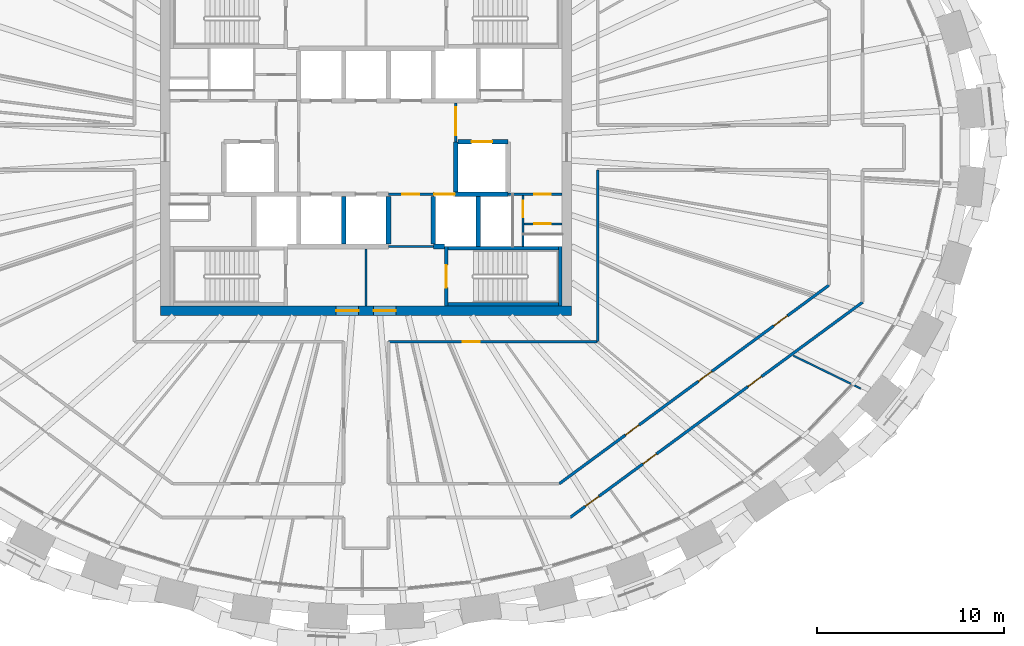
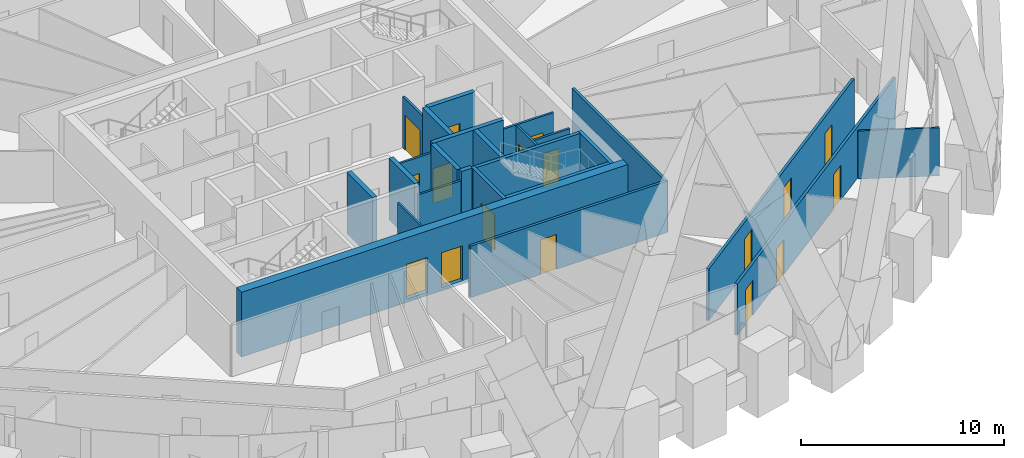
# One storey, part 10 of 15: 25 walls, 17 doors, 17 openings.
"""IFC4 building model written with IfcOpenShell, lengths in metres."""

from ifc_helpers import new_model, si_unit, direction, frame, frame_2d, origin, place, context, subcontext, project, spatial, rectangle, extrude, source, transform, mapped, material, layer, layer_set, type_object, element, fill, save


model = new_model("IFC4")

# Units and contexts
model_context = context("Model", 3, precision=1e-05, world=origin(), true_north=direction((0.0, 1.0)))
body_context = subcontext(model_context, "Body", "Model", "MODEL_VIEW")
ifc_project = project(units=[si_unit("LENGTHUNIT", "METRE"), si_unit("AREAUNIT", "SQUARE_METRE"), si_unit("VOLUMEUNIT", "CUBIC_METRE"), si_unit("PLANEANGLEUNIT", "RADIAN"), si_unit("MASSUNIT", "GRAM", prefix="KILO")], contexts=[model_context])

# Site, building, storey
site_placement = place(None, origin())
site = spatial("IfcSite", under=ifc_project, at=site_placement, CompositionType="ELEMENT")
building_placement = place(site_placement, origin())
building = spatial("IfcBuilding", under=site, at=building_placement, Name="Embergate Tower", CompositionType="ELEMENT")
storey_placement = place(building_placement, frame((0.0, 0.0, 277.300048828125)))
storey = spatial("IfcBuildingStorey", under=building, at=storey_placement, Name="L64", CompositionType="ELEMENT", Elevation=277.300048828125)

# Wall, openings, doors
ifc_material_1 = material(Name="Concrete C50", Category="concrete")
ifc_layer_1 = layer(ifc_material_1, 0.5)
ifc_layer_set_1 = layer_set([ifc_layer_1], Name="Concrete C50")
wall_type_1 = type_object("IfcWallType", Name="Core outer wall C50 500", PredefinedType="SHEAR", material=ifc_layer_set_1)
shared_shape_1 = source(origin(), body_context, "Body", "SweptSolid", [
    extrude(rectangle(XDim=22.0, YDim=0.5, at=frame_2d((11.0, 0.0))), origin(), (0.0, 0.0, 1.0), 3.89990234375),
])
wall_1_placement = place(storey_placement, frame((-11.0, -8.75, -0.199951171875), z_axis=(0.0, 0.0, 1.0), x_axis=(1.0, 0.0, 0.0)))
wall_1 = element("IfcWall", 1, at=wall_1_placement, inside=storey, type_object=wall_type_1, Name="CW-L64-S", PredefinedType="SHEAR", context=body_context, shape_type="MappedRepresentation", body=[
    mapped(shared_shape_1, transform((0.0, 0.0, 0.0))),
])
shared_shape_2 = source(origin(), body_context, "Body", "SweptSolid", [
    extrude(rectangle(XDim=1.199951171875, YDim=2.10009765625, at=frame_2d((0.60009765625, 1.050048828125))), frame((0.0, 0.260009765625, 0.0), z_axis=(0.0, -1.0, 0.0), x_axis=(1.0, 0.0, 0.0)), (0.0, 0.0, 1.0), 0.52001953125),
])
opening_1_placement = place(wall_1_placement, frame((9.39990234375, 0.0, 0.199951171875)))
opening_1 = element("IfcOpeningElement", 2, at=opening_1_placement, cuts=wall_1, Name="Opening IF-1", PredefinedType="OPENING", context=body_context, shape_type="MappedRepresentation", body=[
    mapped(shared_shape_2, transform((0.0, 0.0, 0.0))),
])
opening_2_placement = place(wall_1_placement, frame((11.39990234375, 0.0, 0.199951171875)))
opening_2 = element("IfcOpeningElement", 3, at=opening_2_placement, cuts=wall_1, Name="Opening IF-1", PredefinedType="OPENING", context=body_context, shape_type="MappedRepresentation", body=[
    mapped(shared_shape_2, transform((0.0, 0.0, 0.0))),
])
ifc_material_2 = material(Name="Escape fire door 1200")
door_type_1 = type_object("IfcDoorType", Name="Escape fire door 1200", OperationType="SINGLE_SWING_LEFT", PredefinedType="DOOR", material=ifc_material_2)
shared_shape_3 = source(origin(), body_context, "Body", "SweptSolid", [
    extrude(rectangle(XDim=1.199951171875, YDim=2.10009765625, at=frame_2d((0.60009765625, 1.050048828125))), frame((0.0, 0.02490234375, 0.0), z_axis=(0.0, -1.0, 0.0), x_axis=(1.0, 0.0, 0.0)), (0.0, 0.0, 1.0), 0.050048828125),
])
door_1_placement = place(opening_1_placement, origin())
door_1 = element("IfcDoor", 4, at=door_1_placement, inside=storey, type_object=door_type_1, Name="IF-1 door", OperationType="SINGLE_SWING_LEFT", OverallHeight=2.10009765625, OverallWidth=1.199951171875, PredefinedType="DOOR", context=body_context, shape_type="MappedRepresentation", body=[
    mapped(shared_shape_3, transform((0.0, 0.0, 0.0))),
])
fill(opening_1, door_1)
door_2_placement = place(opening_2_placement, origin())
door_2 = element("IfcDoor", 5, at=door_2_placement, inside=storey, type_object=door_type_1, Name="IF-1 door", OperationType="SINGLE_SWING_RIGHT", OverallHeight=2.10009765625, OverallWidth=1.199951171875, PredefinedType="DOOR", context=body_context, shape_type="MappedRepresentation", body=[
    mapped(shared_shape_3, transform((0.0, 0.0, 0.0))),
])
fill(opening_2, door_2)

# Walls
ifc_layer_2 = layer(ifc_material_1, 0.25)
ifc_layer_set_2 = layer_set([ifc_layer_2], Name="Concrete C50")
wall_type_2 = type_object("IfcWallType", Name="Hoistway wall reinforced concrete 250", PredefinedType="SHEAR", material=ifc_layer_set_2)
shared_shape_4 = source(origin(), body_context, "Body", "SweptSolid", [
    extrude(rectangle(XDim=2.675048828125, YDim=0.25, at=frame_2d((1.33740234375, 0.0))), origin(), (0.0, 0.0, 1.0), 3.699951171875),
])
for number, where, z_axis, x_axis, name in (
    (6, (6.0, -5.300048828125, 0.0), (0.0, 0.0, 1.0), (0.0, 1.0, 0.0), "HW-1 wall"),
    (7, (4.800048828125, -2.375, 0.0), (0.0, 0.0, 1.0), (0.0, 1.0, 0.0), "HW-1 wall"),
):
    element("IfcWall", number, at=place(storey_placement, frame(where, z_axis=z_axis, x_axis=x_axis)), inside=storey, type_object=wall_type_2, Name=name, PredefinedType="SHEAR", context=body_context, shape_type="MappedRepresentation", body=[
        mapped(shared_shape_4, transform((0.0, 0.0, 0.0))),
    ])

# Wall, opening, door
wall_2_placement = place(storey_placement, frame((7.60009765625, 0.300048828125, 0.0), z_axis=(0.0, 0.0, 1.0), x_axis=(-1.0, 0.0, 0.0)))
wall_2 = element("IfcWall", 8, at=wall_2_placement, inside=storey, type_object=wall_type_2, Name="HW-1 wall", PredefinedType="SHEAR", context=body_context, shape_type="MappedRepresentation", body=[
    mapped(shared_shape_4, transform((0.0, 0.0, 0.0))),
])
shared_shape_5 = source(origin(), body_context, "Body", "SweptSolid", [
    extrude(rectangle(XDim=1.10009765625, YDim=2.10009765625, at=frame_2d((0.550048828125, 1.050048828125))), frame((0.0, 0.135009765625, 0.0), z_axis=(0.0, -1.0, 0.0), x_axis=(1.0, 0.0, 0.0)), (0.0, 0.0, 1.0), 0.27001953125),
])
opening_3_placement = place(wall_2_placement, frame((0.85009765625, 0.0, 0.0)))
opening_3 = element("IfcOpeningElement", 9, at=opening_3_placement, cuts=wall_2, Name="Opening LD", PredefinedType="OPENING", context=body_context, shape_type="MappedRepresentation", body=[
    mapped(shared_shape_5, transform((0.0, 0.0, 0.0))),
])
ifc_material_3 = material(Name="Landing door sliding 1100")
door_type_2 = type_object("IfcDoorType", Name="Landing door sliding 1100", OperationType="SLIDING_TO_LEFT", PredefinedType="DOOR", material=ifc_material_3)
shared_shape_6 = source(origin(), body_context, "Body", "SweptSolid", [
    extrude(rectangle(XDim=1.10009765625, YDim=2.10009765625, at=frame_2d((0.550048828125, 1.050048828125))), frame((0.0, 0.02490234375, 0.0), z_axis=(0.0, -1.0, 0.0), x_axis=(1.0, 0.0, 0.0)), (0.0, 0.0, 1.0), 0.050048828125),
])
door_3_placement = place(opening_3_placement, origin())
door_3 = element("IfcDoor", 10, at=door_3_placement, inside=storey, type_object=door_type_2, Name="LD door", OperationType="SLIDING_TO_RIGHT", OverallHeight=2.10009765625, OverallWidth=1.10009765625, PredefinedType="DOOR", context=body_context, shape_type="MappedRepresentation", body=[
    mapped(shared_shape_6, transform((0.0, 0.0, 0.0))),
])
fill(opening_3, door_3)

# Walls
ifc_layer_3 = layer(ifc_material_1, 0.199951171875)
ifc_layer_set_3 = layer_set([ifc_layer_3], Name="Concrete C50")
wall_type_3 = type_object("IfcWallType", Name="Stair enclosure wall reinforced concrete 250", PredefinedType="SHEAR", material=ifc_layer_set_3)
shared_shape_7 = source(origin(), body_context, "Body", "SweptSolid", [
    extrude(rectangle(XDim=6.300048828125, YDim=0.199951171875, at=frame_2d((3.14990234375, 0.0))), origin(), (0.0, 0.0, 1.0), 3.699951171875),
])
wall_3_placement = place(storey_placement, frame((4.199951171875, -5.39990234375, 0.0), z_axis=(0.0, 0.0, 1.0), x_axis=(1.0, 0.0, 0.0)))
element("IfcWall", 11, at=wall_3_placement, inside=storey, type_object=wall_type_3, Name="SE-1 wall", PredefinedType="SHEAR", context=body_context, shape_type="MappedRepresentation", body=[
    mapped(shared_shape_7, transform((0.0, 0.0, 0.0))),
])
shared_shape_8 = source(origin(), body_context, "Body", "SweptSolid", [
    extrude(rectangle(XDim=2.550048828125, YDim=0.25, at=frame_2d((1.27490234375, 0.0))), origin(), (0.0, 0.0, 1.0), 3.699951171875),
])
for number, where, z_axis, x_axis, name in (
    (12, (-1.199951171875, -5.175048828125, 0.0), (0.0, 0.0, 1.0), (0.0, 1.0, 0.0), "HW-1 wall"),
    (13, (1.199951171875, -5.175048828125, 0.0), (0.0, 0.0, 1.0), (0.0, 1.0, 0.0), "HW-1 wall"),
    (14, (3.60009765625, -2.625, 0.0), (0.0, 0.0, 1.0), (0.0, -1.0, 0.0), "HW-1 wall"),
):
    element("IfcWall", number, at=place(storey_placement, frame(where, z_axis=z_axis, x_axis=x_axis)), inside=storey, type_object=wall_type_2, Name=name, PredefinedType="SHEAR", context=body_context, shape_type="MappedRepresentation", body=[
        mapped(shared_shape_8, transform((0.0, 0.0, 0.0))),
    ])

# Wall, opening, door
shared_shape_9 = source(origin(), body_context, "Body", "SweptSolid", [
    extrude(rectangle(XDim=3.199951171875, YDim=0.199951171875, at=frame_2d((1.60009765625, 0.0))), origin(), (0.0, 0.0, 1.0), 3.699951171875),
])
wall_4_placement = place(storey_placement, frame((4.300048828125, -5.300048828125, 0.0), z_axis=(0.0, 0.0, 1.0), x_axis=(0.0, -1.0, 0.0)))
wall_4 = element("IfcWall", 15, at=wall_4_placement, inside=storey, type_object=wall_type_3, Name="SE-1 wall", PredefinedType="SHEAR", context=body_context, shape_type="MappedRepresentation", body=[
    mapped(shared_shape_9, transform((0.0, 0.0, 0.0))),
])
shared_shape_10 = source(origin(), body_context, "Body", "SweptSolid", [
    extrude(rectangle(XDim=1.199951171875, YDim=2.10009765625, at=frame_2d((0.60009765625, 1.050048828125))), frame((0.0, 0.10986328125, 0.0), z_axis=(0.0, -1.0, 0.0), x_axis=(1.0, 0.0, 0.0)), (0.0, 0.0, 1.0), 0.219970703125),
])
opening_4_placement = place(wall_4_placement, frame((1.0, 0.0, 0.0)))
opening_4 = element("IfcOpeningElement", 16, at=opening_4_placement, cuts=wall_4, Name="Opening IF-2", PredefinedType="OPENING", context=body_context, shape_type="MappedRepresentation", body=[
    mapped(shared_shape_10, transform((0.0, 0.0, 0.0))),
])
ifc_material_4 = material(Name="Stair enclosure door 1200")
door_type_3 = type_object("IfcDoorType", Name="Stair enclosure door 1200", OperationType="SINGLE_SWING_LEFT", PredefinedType="DOOR", material=ifc_material_4)
door_4_placement = place(opening_4_placement, origin())
door_4 = element("IfcDoor", 17, at=door_4_placement, inside=storey, type_object=door_type_3, Name="IF-2 door", OperationType="SINGLE_SWING_RIGHT", OverallHeight=2.10009765625, OverallWidth=1.199951171875, PredefinedType="DOOR", context=body_context, shape_type="MappedRepresentation", body=[
    mapped(shared_shape_3, transform((0.0, 0.0, 0.0))),
])
fill(opening_4, door_4)

ifc_material_5 = material(Name="Core partition blockwork 120")
ifc_layer_4 = layer(ifc_material_5, 0.1201171875)
ifc_layer_set_4 = layer_set([ifc_layer_4], Name="Core partition blockwork 120")
wall_type_4 = type_object("IfcWallType", Name="Core partition blockwork 120", PredefinedType="PARTITIONING", material=ifc_layer_set_4)
shared_shape_11 = source(origin(), body_context, "Body", "SweptSolid", [
    extrude(rectangle(XDim=2.739990234375, YDim=0.1201171875, at=frame_2d((1.3701171875, 0.0))), origin(), (0.0, 0.0, 1.0), 3.099853515625),
])
wall_5_placement = place(storey_placement, frame((8.39990234375, -5.300048828125, 0.0), z_axis=(0.0, 0.0, 1.0), x_axis=(0.0, 1.0, 0.0)))
wall_5 = element("IfcWall", 18, at=wall_5_placement, inside=storey, type_object=wall_type_4, Name="IP-3 wall", PredefinedType="PARTITIONING", context=body_context, shape_type="MappedRepresentation", body=[
    mapped(shared_shape_11, transform((0.0, 0.0, 0.0))),
])
shared_shape_12 = source(origin(), body_context, "Body", "SweptSolid", [
    extrude(rectangle(XDim=0.89990234375, YDim=2.10009765625, at=frame_2d((0.449951171875, 1.050048828125))), frame((0.0, 0.070068359375, 0.0), z_axis=(0.0, -1.0, 0.0), x_axis=(1.0, 0.0, 0.0)), (0.0, 0.0, 1.0), 0.14013671875),
])
opening_5_placement = place(wall_5_placement, frame((1.552001953125, 0.0, 0.0)))
opening_5 = element("IfcOpeningElement", 19, at=opening_5_placement, cuts=wall_5, Name="Opening ID-1", PredefinedType="OPENING", context=body_context, shape_type="MappedRepresentation", body=[
    mapped(shared_shape_12, transform((0.0, 0.0, 0.0))),
])
ifc_material_6 = material(Name="Interior door 900")
door_type_4 = type_object("IfcDoorType", Name="Interior door 900", OperationType="SINGLE_SWING_LEFT", PredefinedType="DOOR", material=ifc_material_6)
shared_shape_13 = source(origin(), body_context, "Body", "SweptSolid", [
    extrude(rectangle(XDim=0.89990234375, YDim=2.10009765625, at=frame_2d((0.449951171875, 1.050048828125))), frame((0.0, 0.02490234375, 0.0), z_axis=(0.0, -1.0, 0.0), x_axis=(1.0, 0.0, 0.0)), (0.0, 0.0, 1.0), 0.050048828125),
])
door_5_placement = place(opening_5_placement, origin())
door_5 = element("IfcDoor", 20, at=door_5_placement, inside=storey, type_object=door_type_4, Name="ID-1 door", OperationType="SINGLE_SWING_RIGHT", OverallHeight=2.10009765625, OverallWidth=0.89990234375, PredefinedType="DOOR", context=body_context, shape_type="MappedRepresentation", body=[
    mapped(shared_shape_13, transform((0.0, 0.0, 0.0))),
])
fill(opening_5, door_5)

shared_shape_14 = source(origin(), body_context, "Body", "SweptSolid", [
    extrude(rectangle(XDim=2.074951171875, YDim=0.1201171875, at=frame_2d((1.03759765625, 0.0))), origin(), (0.0, 0.0, 1.0), 3.099853515625),
])
wall_6_placement = place(storey_placement, frame((4.800048828125, 0.300048828125, 0.0), z_axis=(0.0, 0.0, 1.0), x_axis=(0.0, 1.0, 0.0)))
wall_6 = element("IfcWall", 21, at=wall_6_placement, inside=storey, type_object=wall_type_4, Name="IP-3 wall", PredefinedType="PARTITIONING", context=body_context, shape_type="MappedRepresentation", body=[
    mapped(shared_shape_14, transform((0.0, 0.0, 0.0))),
])
shared_shape_15 = source(origin(), body_context, "Body", "SweptSolid", [
    extrude(rectangle(XDim=1.5, YDim=2.10009765625, at=frame_2d((0.75, 1.050048828125))), frame((0.0, 0.070068359375, 0.0), z_axis=(0.0, -1.0, 0.0), x_axis=(1.0, 0.0, 0.0)), (0.0, 0.0, 1.0), 0.14013671875),
])
opening_6_placement = place(wall_6_placement, frame((0.35009765625, 0.0, 0.0)))
opening_6 = element("IfcOpeningElement", 22, at=opening_6_placement, cuts=wall_6, Name="Opening IF-3", PredefinedType="OPENING", context=body_context, shape_type="MappedRepresentation", body=[
    mapped(shared_shape_15, transform((0.0, 0.0, 0.0))),
])
ifc_material_7 = material(Name="Lobby fire door pair 1500")
door_type_5 = type_object("IfcDoorType", Name="Lobby fire door pair 1500", OperationType="DOUBLE_DOOR_SINGLE_SWING", PredefinedType="DOOR", material=ifc_material_7)
shared_shape_16 = source(origin(), body_context, "Body", "SweptSolid", [
    extrude(rectangle(XDim=1.5, YDim=2.10009765625, at=frame_2d((0.75, 1.050048828125))), frame((0.0, 0.02490234375, 0.0), z_axis=(0.0, -1.0, 0.0), x_axis=(1.0, 0.0, 0.0)), (0.0, 0.0, 1.0), 0.050048828125),
])
door_6_placement = place(opening_6_placement, origin())
door_6 = element("IfcDoor", 23, at=door_6_placement, inside=storey, type_object=door_type_5, Name="IF-3 door", OperationType="DOUBLE_DOOR_SINGLE_SWING", OverallHeight=2.10009765625, OverallWidth=1.5, PredefinedType="DOOR", context=body_context, shape_type="MappedRepresentation", body=[
    mapped(shared_shape_16, transform((0.0, 0.0, 0.0))),
])
fill(opening_6, door_6)

# Wall
shared_shape_17 = source(origin(), body_context, "Body", "SweptSolid", [
    extrude(rectangle(XDim=0.599853515625, YDim=0.25, at=frame_2d((0.2998046875, 0.0))), origin(), (0.0, 0.0, 1.0), 3.699951171875),
])
wall_7_placement = place(storey_placement, frame((3.60009765625, -5.300048828125, 0.0), z_axis=(0.0, 0.0, 1.0), x_axis=(1.0, 0.0, 0.0)))
element("IfcWall", 24, at=wall_7_placement, inside=storey, type_object=wall_type_2, Name="HW-1 wall", PredefinedType="SHEAR", context=body_context, shape_type="MappedRepresentation", body=[
    mapped(shared_shape_17, transform((0.0, 0.0, 0.0))),
])

# Wall, opening, door
ifc_material_8 = material(Name="Corridor wall dry-lined 150")
ifc_layer_5 = layer(ifc_material_8, 0.14990234375)
ifc_layer_set_5 = layer_set([ifc_layer_5], Name="Corridor wall dry-lined 150")
wall_type_5 = type_object("IfcWallType", Name="Corridor wall dry-lined 150", PredefinedType="PARTITIONING", material=ifc_layer_set_5)
shared_shape_18 = source(origin(), body_context, "Body", "SweptSolid", [
    extrude(rectangle(XDim=11.199951171875, YDim=0.14990234375, at=frame_2d((5.60009765625, 0.0))), origin(), (0.0, 0.0, 1.0), 3.099853515625),
])
wall_8_placement = place(storey_placement, frame((12.39990234375, -10.39990234375, 0.0), z_axis=(0.0, 0.0, 1.0), x_axis=(-1.0, 0.0, 0.0)))
wall_8 = element("IfcWall", 25, at=wall_8_placement, inside=storey, type_object=wall_type_5, Name="IP-2 wall", PredefinedType="PARTITIONING", context=body_context, shape_type="MappedRepresentation", body=[
    mapped(shared_shape_18, transform((0.0, 0.0, 0.0))),
])
shared_shape_19 = source(origin(), body_context, "Body", "SweptSolid", [
    extrude(rectangle(XDim=0.89990234375, YDim=2.10009765625, at=frame_2d((0.449951171875, 1.050048828125))), frame((0.0, 0.0849609375, 0.0), z_axis=(0.0, -1.0, 0.0), x_axis=(1.0, 0.0, 0.0)), (0.0, 0.0, 1.0), 0.169921875),
])
opening_7_placement = place(wall_8_placement, frame((6.31396484375, 0.0, 0.0)))
opening_7 = element("IfcOpeningElement", 26, at=opening_7_placement, cuts=wall_8, Name="Opening IF-1c", PredefinedType="OPENING", context=body_context, shape_type="MappedRepresentation", body=[
    mapped(shared_shape_19, transform((0.0, 0.0, 0.0))),
])
ifc_material_9 = material(Name="Escape fire door 900")
door_type_6 = type_object("IfcDoorType", Name="Escape fire door 900", OperationType="SINGLE_SWING_LEFT", PredefinedType="DOOR", material=ifc_material_9)
door_7_placement = place(opening_7_placement, origin())
door_7 = element("IfcDoor", 27, at=door_7_placement, inside=storey, type_object=door_type_6, Name="IF-1 door", OperationType="SINGLE_SWING_RIGHT", OverallHeight=2.10009765625, OverallWidth=0.89990234375, PredefinedType="DOOR", context=body_context, shape_type="MappedRepresentation", body=[
    mapped(shared_shape_13, transform((0.0, 0.0, 0.0))),
])
fill(opening_7, door_7)

shared_shape_20 = source(origin(), body_context, "Body", "SweptSolid", [
    extrude(rectangle(XDim=2.89990234375, YDim=0.1201171875, at=frame_2d((1.449951171875, 0.0))), origin(), (0.0, 0.0, 1.0), 3.099853515625),
])
wall_9_placement = place(storey_placement, frame((10.5, -2.5, 0.0), z_axis=(0.0, 0.0, 1.0), x_axis=(-1.0, 0.0, 0.0)))
wall_9 = element("IfcWall", 28, at=wall_9_placement, inside=storey, type_object=wall_type_4, Name="IP-3 wall", PredefinedType="PARTITIONING", context=body_context, shape_type="MappedRepresentation", body=[
    mapped(shared_shape_20, transform((0.0, 0.0, 0.0))),
])
opening_8_placement = place(wall_9_placement, frame((0.60009765625, 0.0, 0.0)))
opening_8 = element("IfcOpeningElement", 29, at=opening_8_placement, cuts=wall_9, Name="Opening ID-1", PredefinedType="OPENING", context=body_context, shape_type="MappedRepresentation", body=[
    mapped(shared_shape_12, transform((0.0, 0.0, 0.0))),
])
door_8_placement = place(opening_8_placement, origin())
door_8 = element("IfcDoor", 30, at=door_8_placement, inside=storey, type_object=door_type_4, Name="ID-1 door", OperationType="SINGLE_SWING_RIGHT", OverallHeight=2.10009765625, OverallWidth=0.89990234375, PredefinedType="DOOR", context=body_context, shape_type="MappedRepresentation", body=[
    mapped(shared_shape_13, transform((0.0, 0.0, 0.0))),
])
fill(opening_8, door_8)

shared_shape_21 = source(origin(), body_context, "Body", "SweptSolid", [
    extrude(rectangle(XDim=4.0, YDim=0.25, at=frame_2d((2.0, 0.0))), origin(), (0.0, 0.0, 1.0), 3.699951171875),
])
wall_10_placement = place(storey_placement, frame((7.60009765625, -2.5, 0.0), z_axis=(0.0, 0.0, 1.0), x_axis=(-1.0, 0.0, 0.0)))
wall_10 = element("IfcWall", 31, at=wall_10_placement, inside=storey, type_object=wall_type_2, Name="HW-1 wall", PredefinedType="SHEAR", context=body_context, shape_type="MappedRepresentation", body=[
    mapped(shared_shape_21, transform((0.0, 0.0, 0.0))),
])
opening_9_placement = place(wall_10_placement, frame((2.85009765625, 0.0, 0.0)))
opening_9 = element("IfcOpeningElement", 32, at=opening_9_placement, cuts=wall_10, Name="Opening LD", PredefinedType="OPENING", context=body_context, shape_type="MappedRepresentation", body=[
    mapped(shared_shape_5, transform((0.0, 0.0, 0.0))),
])
door_9_placement = place(opening_9_placement, origin())
door_9 = element("IfcDoor", 33, at=door_9_placement, inside=storey, type_object=door_type_2, Name="LD door", OperationType="SLIDING_TO_RIGHT", OverallHeight=2.10009765625, OverallWidth=1.10009765625, PredefinedType="DOOR", context=body_context, shape_type="MappedRepresentation", body=[
    mapped(shared_shape_6, transform((0.0, 0.0, 0.0))),
])
fill(opening_9, door_9)

shared_shape_22 = source(origin(), body_context, "Body", "SweptSolid", [
    extrude(rectangle(XDim=2.400146484375, YDim=0.1201171875, at=frame_2d((1.2001953125, 0.0))), origin(), (0.0, 0.0, 1.0), 3.099853515625),
])
wall_11_placement = place(storey_placement, frame((1.199951171875, -2.5, 0.0), z_axis=(0.0, 0.0, 1.0), x_axis=(1.0, 0.0, 0.0)))
wall_11 = element("IfcWall", 34, at=wall_11_placement, inside=storey, type_object=wall_type_4, Name="IP-3 wall", PredefinedType="PARTITIONING", context=body_context, shape_type="MappedRepresentation", body=[
    mapped(shared_shape_22, transform((0.0, 0.0, 0.0))),
])
opening_10_placement = place(wall_11_placement, frame((0.75, 0.0, 0.0)))
opening_10 = element("IfcOpeningElement", 35, at=opening_10_placement, cuts=wall_11, Name="Opening ID-1", PredefinedType="OPENING", context=body_context, shape_type="MappedRepresentation", body=[
    mapped(shared_shape_12, transform((0.0, 0.0, 0.0))),
])
door_10_placement = place(opening_10_placement, origin())
door_10 = element("IfcDoor", 36, at=door_10_placement, inside=storey, type_object=door_type_4, Name="ID-1 door", OperationType="SINGLE_SWING_LEFT", OverallHeight=2.10009765625, OverallWidth=0.89990234375, PredefinedType="DOOR", context=body_context, shape_type="MappedRepresentation", body=[
    mapped(shared_shape_13, transform((0.0, 0.0, 0.0))),
])
fill(opening_10, door_10)

# Walls
wall_12_placement = place(storey_placement, frame((3.60009765625, -5.300048828125, 0.0), z_axis=(0.0, 0.0, 1.0), x_axis=(-1.0, 0.0, 0.0)))
element("IfcWall", 37, at=wall_12_placement, inside=storey, type_object=wall_type_4, Name="IP-3 wall", PredefinedType="PARTITIONING", context=body_context, shape_type="MappedRepresentation", body=[
    mapped(shared_shape_22, transform((0.0, 0.0, 0.0))),
])
shared_shape_23 = source(origin(), body_context, "Body", "SweptSolid", [
    extrude(rectangle(XDim=3.074951171875, YDim=0.1201171875, at=frame_2d((1.53759765625, 0.0))), origin(), (0.0, 0.0, 1.0), 3.099853515625),
])
wall_13_placement = place(storey_placement, frame((0.0, -8.5, 0.0), z_axis=(0.0, 0.0, 1.0), x_axis=(0.0, 1.0, 0.0)))
element("IfcWall", 38, at=wall_13_placement, inside=storey, type_object=wall_type_4, Name="IP-3 wall", PredefinedType="PARTITIONING", context=body_context, shape_type="MappedRepresentation", body=[
    mapped(shared_shape_23, transform((0.0, 0.0, 0.0))),
])
shared_shape_24 = source(origin(), body_context, "Body", "SweptSolid", [
    extrude(rectangle(XDim=6.298095703125, YDim=0.199951171875, at=frame_2d((3.14892578125, 0.0))), origin(), (0.0, 0.0, 1.0), 3.699951171875),
])
wall_14_placement = place(storey_placement, frame((4.201904296875, -8.39990234375, 0.0), z_axis=(0.0, 0.0, 1.0), x_axis=(1.0, 0.0, 0.0)))
element("IfcWall", 39, at=wall_14_placement, inside=storey, type_object=wall_type_3, Name="SE-1 wall", PredefinedType="SHEAR", context=body_context, shape_type="MappedRepresentation", body=[
    mapped(shared_shape_24, transform((0.0, 0.0, 0.0))),
])
shared_shape_25 = source(origin(), body_context, "Body", "SweptSolid", [
    extrude(rectangle(XDim=3.197998046875, YDim=0.199951171875, at=frame_2d((1.59912109375, 0.0))), origin(), (0.0, 0.0, 1.0), 3.699951171875),
])
wall_15_placement = place(storey_placement, frame((10.39990234375, -8.5, 0.0), z_axis=(0.0, 0.0, 1.0), x_axis=(0.0, 1.0, 0.0)))
element("IfcWall", 40, at=wall_15_placement, inside=storey, type_object=wall_type_3, Name="SE-1 wall", PredefinedType="SHEAR", context=body_context, shape_type="MappedRepresentation", body=[
    mapped(shared_shape_25, transform((0.0, 0.0, 0.0))),
])

# Wall, opening, door
shared_shape_26 = source(origin(), body_context, "Body", "SweptSolid", [
    extrude(rectangle(XDim=2.0400390625, YDim=0.1201171875, at=frame_2d((1.02001953125, 0.0))), origin(), (0.0, 0.0, 1.0), 3.099853515625),
])
wall_16_placement = place(storey_placement, frame((10.5, -4.095947265625, 0.0), z_axis=(0.0, 0.0, 1.0), x_axis=(-1.0, 0.0, 0.0)))
wall_16 = element("IfcWall", 41, at=wall_16_placement, inside=storey, type_object=wall_type_4, Name="IP-3 wall", PredefinedType="PARTITIONING", context=body_context, shape_type="MappedRepresentation", body=[
    mapped(shared_shape_26, transform((0.0, 0.0, 0.0))),
])
opening_11_placement = place(wall_16_placement, frame((0.60009765625, 0.0, 0.0)))
opening_11 = element("IfcOpeningElement", 42, at=opening_11_placement, cuts=wall_16, Name="Opening ID-1", PredefinedType="OPENING", context=body_context, shape_type="MappedRepresentation", body=[
    mapped(shared_shape_12, transform((0.0, 0.0, 0.0))),
])
door_11_placement = place(opening_11_placement, origin())
door_11 = element("IfcDoor", 43, at=door_11_placement, inside=storey, type_object=door_type_4, Name="ID-1 door", OperationType="SINGLE_SWING_LEFT", OverallHeight=2.10009765625, OverallWidth=0.89990234375, PredefinedType="DOOR", context=body_context, shape_type="MappedRepresentation", body=[
    mapped(shared_shape_13, transform((0.0, 0.0, 0.0))),
])
fill(opening_11, door_11)

# Wall
ifc_material_10 = material(Name="Partition dry-lined 100 wet")
ifc_layer_6 = layer(ifc_material_10, 0.10009765625)
ifc_layer_set_6 = layer_set([ifc_layer_6], Name="Partition dry-lined 100 wet")
wall_type_6 = type_object("IfcWallType", Name="Partition dry-lined 100 wet", PredefinedType="PLUMBINGWALL", material=ifc_layer_set_6)
shared_shape_27 = source(origin(), body_context, "Body", "SweptSolid", [
    extrude(rectangle(XDim=4.029052734375, YDim=0.10009765625, at=frame_2d((2.0146484375, 0.0))), origin(), (0.0, 0.0, 1.0), 2.89990234375),
])
wall_17_placement = place(storey_placement, frame((22.863037109375, -11.14306640625, 0.0), z_axis=(0.0, 0.0, 1.0), x_axis=(0.898961115704, -0.43802843795, 0.0)))
element("IfcWall", 44, at=wall_17_placement, inside=storey, type_object=wall_type_6, Name="IP-1 wall", PredefinedType="PLUMBINGWALL", context=body_context, shape_type="MappedRepresentation", body=[
    mapped(shared_shape_27, transform((0.0, 0.0, 0.0))),
])

# Wall, openings, doors
ifc_material_11 = material(Name="Corridor wall dry-lined 150 wet")
ifc_layer_7 = layer(ifc_material_11, 0.14990234375)
ifc_layer_set_7 = layer_set([ifc_layer_7], Name="Corridor wall dry-lined 150 wet")
wall_type_7 = type_object("IfcWallType", Name="Corridor wall dry-lined 150 wet", PredefinedType="PLUMBINGWALL", material=ifc_layer_set_7)
shared_shape_28 = source(origin(), body_context, "Body", "SweptSolid", [
    extrude(rectangle(XDim=19.429931640625, YDim=0.14990234375, at=frame_2d((9.71484375, 0.0))), origin(), (0.0, 0.0, 1.0), 3.099853515625),
])
wall_18_placement = place(storey_placement, frame((26.5810546875, -8.283935546875, 0.0), z_axis=(0.0, 0.0, 1.0), x_axis=(-0.8053507143, -0.592798639486, 0.0)))
wall_18 = element("IfcWall", 45, at=wall_18_placement, inside=storey, type_object=wall_type_7, Name="IP-2 wall", PredefinedType="PLUMBINGWALL", context=body_context, shape_type="MappedRepresentation", body=[
    mapped(shared_shape_28, transform((0.0, 0.0, 0.0))),
])
opening_12_placement = place(wall_18_placement, frame((17.53515625, 0.0, 0.0)))
opening_12 = element("IfcOpeningElement", 46, at=opening_12_placement, cuts=wall_18, Name="Opening IF-1c", PredefinedType="OPENING", context=body_context, shape_type="MappedRepresentation", body=[
    mapped(shared_shape_19, transform((0.0, 0.0, 0.0))),
])
opening_13_placement = place(wall_18_placement, frame((13.70068359375, 0.0, 0.0)))
opening_13 = element("IfcOpeningElement", 47, at=opening_13_placement, cuts=wall_18, Name="Opening IF-1c", PredefinedType="OPENING", context=body_context, shape_type="MappedRepresentation", body=[
    mapped(shared_shape_19, transform((0.0, 0.0, 0.0))),
])
opening_14_placement = place(wall_18_placement, frame((6.720703125, 0.0, 0.0)))
opening_14 = element("IfcOpeningElement", 48, at=opening_14_placement, cuts=wall_18, Name="Opening IF-1c", PredefinedType="OPENING", context=body_context, shape_type="MappedRepresentation", body=[
    mapped(shared_shape_19, transform((0.0, 0.0, 0.0))),
])
door_12_placement = place(opening_12_placement, origin())
door_12 = element("IfcDoor", 49, at=door_12_placement, inside=storey, type_object=door_type_6, Name="IF-1 door", OperationType="SINGLE_SWING_LEFT", OverallHeight=2.10009765625, OverallWidth=0.89990234375, PredefinedType="DOOR", context=body_context, shape_type="MappedRepresentation", body=[
    mapped(shared_shape_13, transform((0.0, 0.0, 0.0))),
])
fill(opening_12, door_12)
door_13_placement = place(opening_13_placement, origin())
door_13 = element("IfcDoor", 50, at=door_13_placement, inside=storey, type_object=door_type_6, Name="IF-1 door", OperationType="SINGLE_SWING_LEFT", OverallHeight=2.10009765625, OverallWidth=0.89990234375, PredefinedType="DOOR", context=body_context, shape_type="MappedRepresentation", body=[
    mapped(shared_shape_13, transform((0.0, 0.0, 0.0))),
])
fill(opening_13, door_13)
door_14_placement = place(opening_14_placement, origin())
door_14 = element("IfcDoor", 51, at=door_14_placement, inside=storey, type_object=door_type_6, Name="IF-1 door", OperationType="SINGLE_SWING_RIGHT", OverallHeight=2.10009765625, OverallWidth=0.89990234375, PredefinedType="DOOR", context=body_context, shape_type="MappedRepresentation", body=[
    mapped(shared_shape_13, transform((0.0, 0.0, 0.0))),
])
fill(opening_14, door_14)

shared_shape_29 = source(origin(), body_context, "Body", "SweptSolid", [
    extrude(rectangle(XDim=17.9287109375, YDim=0.14990234375, at=frame_2d((8.96435546875, 0.0))), origin(), (0.0, 0.0, 1.0), 3.099853515625),
])
wall_19_placement = place(storey_placement, frame((10.342041015625, -18.001953125, 0.0), z_axis=(0.0, 0.0, 1.0), x_axis=(0.805356928681, 0.592790196803, 0.0)))
wall_19 = element("IfcWall", 52, at=wall_19_placement, inside=storey, type_object=wall_type_7, Name="IP-2 wall", PredefinedType="PLUMBINGWALL", context=body_context, shape_type="MappedRepresentation", body=[
    mapped(shared_shape_29, transform((0.0, 0.0, 0.0))),
])
opening_15_placement = place(wall_19_placement, frame((4.39990234375, 0.0, 0.0)))
opening_15 = element("IfcOpeningElement", 53, at=opening_15_placement, cuts=wall_19, Name="Opening IF-1c", PredefinedType="OPENING", context=body_context, shape_type="MappedRepresentation", body=[
    mapped(shared_shape_19, transform((0.0, 0.0, 0.0))),
])
opening_16_placement = place(wall_19_placement, frame((9.24609375, 0.0, 0.0)))
opening_16 = element("IfcOpeningElement", 54, at=opening_16_placement, cuts=wall_19, Name="Opening IF-1c", PredefinedType="OPENING", context=body_context, shape_type="MappedRepresentation", body=[
    mapped(shared_shape_19, transform((0.0, 0.0, 0.0))),
])
opening_17_placement = place(wall_19_placement, frame((14.27001953125, 0.0, 0.0)))
opening_17 = element("IfcOpeningElement", 55, at=opening_17_placement, cuts=wall_19, Name="Opening IF-1c", PredefinedType="OPENING", context=body_context, shape_type="MappedRepresentation", body=[
    mapped(shared_shape_19, transform((0.0, 0.0, 0.0))),
])
door_15_placement = place(opening_15_placement, origin())
door_15 = element("IfcDoor", 56, at=door_15_placement, inside=storey, type_object=door_type_6, Name="IF-1 door", OperationType="SINGLE_SWING_RIGHT", OverallHeight=2.10009765625, OverallWidth=0.89990234375, PredefinedType="DOOR", context=body_context, shape_type="MappedRepresentation", body=[
    mapped(shared_shape_13, transform((0.0, 0.0, 0.0))),
])
fill(opening_15, door_15)
door_16_placement = place(opening_16_placement, origin())
door_16 = element("IfcDoor", 57, at=door_16_placement, inside=storey, type_object=door_type_6, Name="IF-1 door", OperationType="SINGLE_SWING_RIGHT", OverallHeight=2.10009765625, OverallWidth=0.89990234375, PredefinedType="DOOR", context=body_context, shape_type="MappedRepresentation", body=[
    mapped(shared_shape_13, transform((0.0, 0.0, 0.0))),
])
fill(opening_16, door_16)
door_17_placement = place(opening_17_placement, origin())
door_17 = element("IfcDoor", 58, at=door_17_placement, inside=storey, type_object=door_type_6, Name="IF-1 door", OperationType="SINGLE_SWING_LEFT", OverallHeight=2.10009765625, OverallWidth=0.89990234375, PredefinedType="DOOR", context=body_context, shape_type="MappedRepresentation", body=[
    mapped(shared_shape_13, transform((0.0, 0.0, 0.0))),
])
fill(opening_17, door_17)

# Wall
shared_shape_30 = source(origin(), body_context, "Body", "SweptSolid", [
    extrude(rectangle(XDim=9.198974609375, YDim=0.14990234375, at=frame_2d((4.599609375, 0.0))), origin(), (0.0, 0.0, 1.0), 3.099853515625),
])
wall_20_placement = place(storey_placement, frame((12.39990234375, -1.199951171875, 0.0), z_axis=(0.0, 0.0, 1.0), x_axis=(0.0, -1.0, 0.0)))
element("IfcWall", 59, at=wall_20_placement, inside=storey, type_object=wall_type_7, Name="IP-2 wall", PredefinedType="PLUMBINGWALL", context=body_context, shape_type="MappedRepresentation", body=[
    mapped(shared_shape_30, transform((0.0, 0.0, 0.0))),
])

save(model, "model.ifc")
